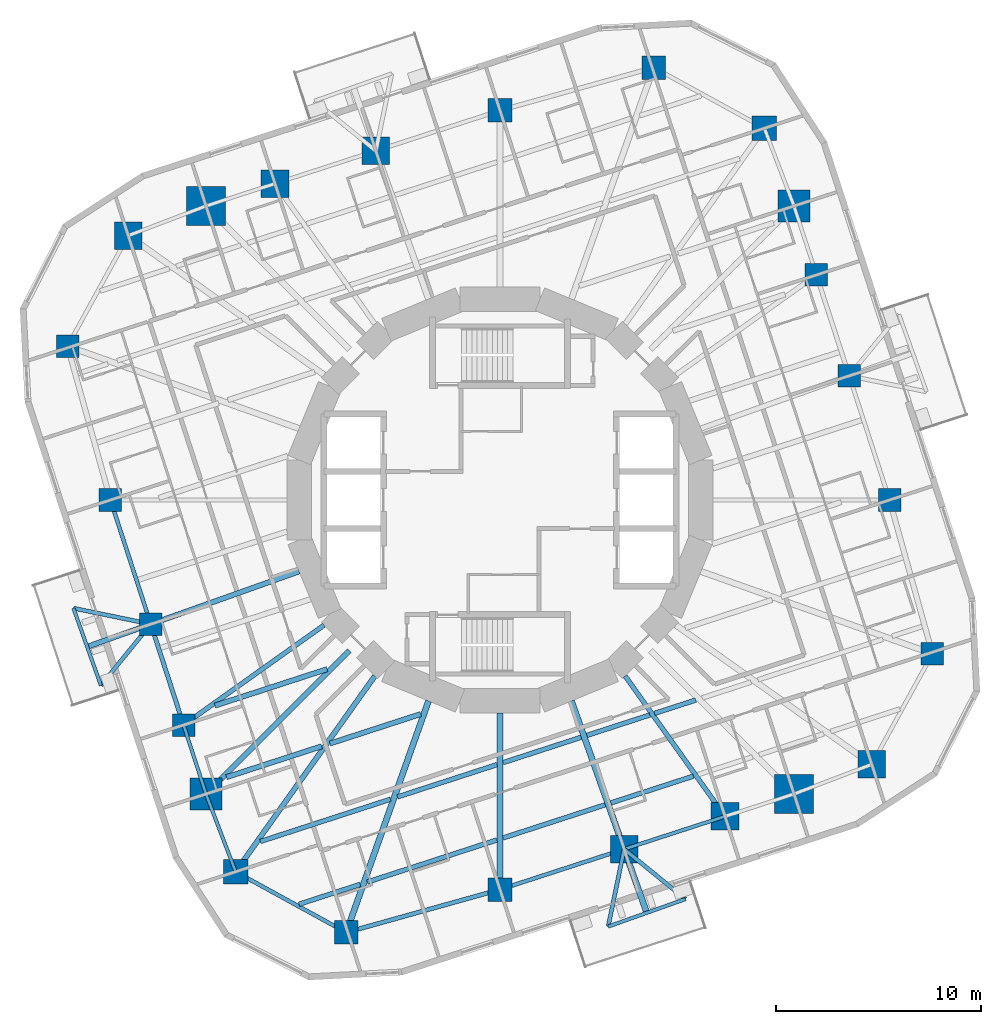
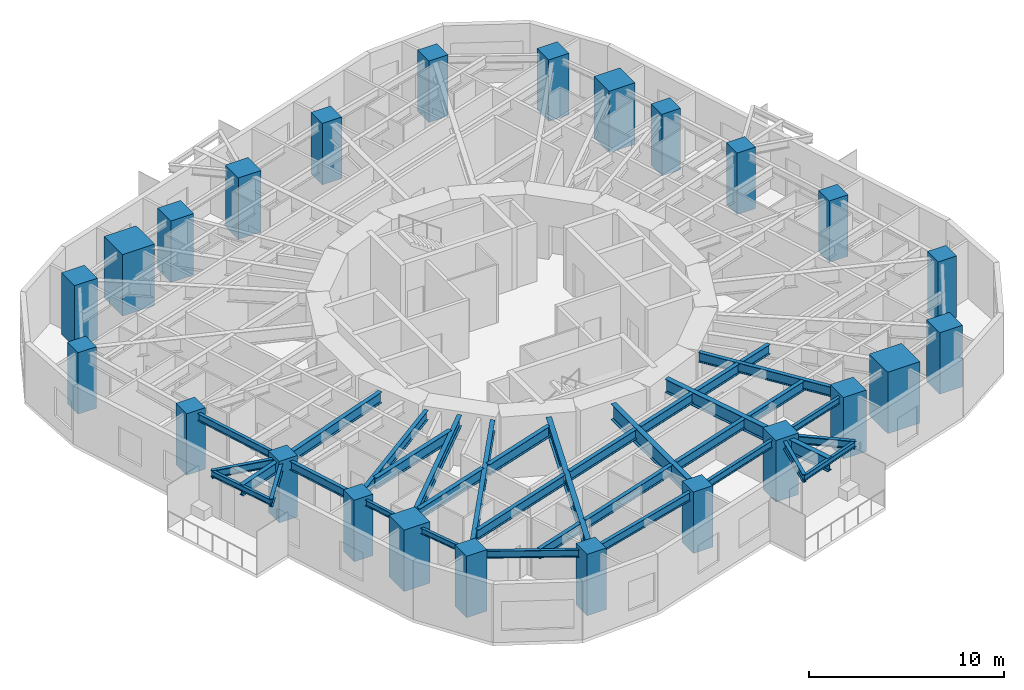
# One storey, part 1 of 12: 34 beams, 24 columns.
"""IFC4 building model written with IfcOpenShell, lengths in metres."""

from ifc_helpers import new_model, si_unit, direction, frame, origin, origin_2d, place, context, subcontext, project, spatial, rectangle, i_section, extrude, material, material_profile, profile_set, type_object, element, save


model = new_model("IFC4")

# Units and contexts
model_context = context("Model", 3, precision=1e-05, world=origin(), true_north=direction((0.0, 1.0)))
body_context = subcontext(model_context, "Body", "Model", "MODEL_VIEW")
ifc_project = project(units=[si_unit("LENGTHUNIT", "METRE"), si_unit("AREAUNIT", "SQUARE_METRE"), si_unit("VOLUMEUNIT", "CUBIC_METRE"), si_unit("PLANEANGLEUNIT", "RADIAN"), si_unit("MASSUNIT", "GRAM", prefix="KILO")], contexts=[model_context])

# Site, building, storey
site_placement = place(None, origin())
site = spatial("IfcSite", under=ifc_project, at=site_placement, CompositionType="ELEMENT")
building_placement = place(site_placement, origin())
building = spatial("IfcBuilding", under=site, at=building_placement, Name="Nakasero Lantern House", CompositionType="ELEMENT")
storey_placement = place(building_placement, frame((0.0, 0.0, 168.75)))
storey = spatial("IfcBuildingStorey", under=building, at=storey_placement, Name="L41", CompositionType="ELEMENT", Elevation=168.75)

# Columns
ifc_material_1 = material(Name="Concrete C50/60", Category="concrete")
ifc_material_profile_1 = material_profile(ifc_material_1, rectangle(XDim=1.550048828125, YDim=1.550048828125, at=origin_2d()), Name="RC 1550x1550")
ifc_profile_set_1 = profile_set([ifc_material_profile_1], Name="Concrete C50/60")
column_type_1 = type_object("IfcColumnType", Name="Mega column RC 1550x1550 C50/60", PredefinedType="COLUMN", material=ifc_profile_set_1)
for number, where, z_axis, x_axis, name in (
    (1, (14.3642578125, 14.3642578125, 0.0), (0.0, 0.0, 1.0), (1.0, 0.0, 0.0), "Column B4-C06 L41"),
    (2, (-14.3642578125, -14.3642578125, 0.0), (0.0, 0.0, 1.0), (1.0, 0.0, 0.0), "Column B4-C18 L41"),
):
    element("IfcColumn", number, at=place(storey_placement, frame(where, z_axis=z_axis, x_axis=x_axis)), inside=storey, type_object=column_type_1, Name=name, PredefinedType="COLUMN", context=body_context, shape_type="SweptSolid", body=[
        extrude(rectangle(XDim=1.550048828125, YDim=1.550048828125, at=origin_2d()), origin(), (0.0, 0.0, 1.0), 3.85009765625),
    ])
ifc_material_2 = material(Name="Concrete C50/60", Category="concrete")
ifc_material_profile_2 = material_profile(ifc_material_2, rectangle(XDim=1.89990234375, YDim=1.89990234375, at=origin_2d()), Name="RC 1900x1900")
ifc_profile_set_2 = profile_set([ifc_material_profile_2], Name="Concrete C50/60")
column_type_2 = type_object("IfcColumnType", Name="Mega column RC 1900x1900 C50/60", PredefinedType="COLUMN", material=ifc_profile_set_2)
for number, where, z_axis, x_axis, name in (
    (3, (-14.3642578125, 14.3642578125, 0.0), (0.0, 0.0, 1.0), (1.0, 0.0, 0.0), "Column B4-C12 L41"),
    (4, (14.3642578125, -14.3642578125, 0.0), (0.0, 0.0, 1.0), (1.0, 0.0, 0.0), "Column B4-C24 L41"),
):
    element("IfcColumn", number, at=place(storey_placement, frame(where, z_axis=z_axis, x_axis=x_axis)), inside=storey, type_object=column_type_2, Name=name, PredefinedType="COLUMN", context=body_context, shape_type="SweptSolid", body=[
        extrude(rectangle(XDim=1.89990234375, YDim=1.89990234375, at=origin_2d()), origin(), (0.0, 0.0, 1.0), 3.85009765625),
    ])
ifc_material_3 = material(Name="Concrete C50/60", Category="concrete")
ifc_material_profile_3 = material_profile(ifc_material_3, rectangle(XDim=1.10009765625, YDim=1.10009765625, at=origin_2d()), Name="RC 1100x1100")
ifc_profile_set_3 = profile_set([ifc_material_profile_3], Name="Concrete C50/60")
column_type_3 = type_object("IfcColumnType", Name="Ring column RC 1100x1100 C50/60", PredefinedType="COLUMN", material=ifc_profile_set_3)
for number, where, z_axis, x_axis, name in (
    (5, (21.129638671875, -7.5126953125, 0.0), (0.0, 0.0, 1.0), (1.0, 0.0, 0.0), "Column B4-C02 L41"),
    (6, (19.031494140625, 0.0, 0.0), (0.0, 0.0, 1.0), (1.0, 0.0, 0.0), "Column B4-C03 L41"),
    (7, (17.060546875, 6.06591796875, 0.0), (0.0, 0.0, 1.0), (1.0, 0.0, 0.0), "Column B4-C04 L41"),
    (8, (15.45947265625, 10.993408203125, 0.0), (0.0, 0.0, 1.0), (1.0, 0.0, 0.0), "Column B4-C05 L41"),
    (9, (-21.129638671875, 7.5126953125, 0.0), (0.0, 0.0, 1.0), (1.0, 0.0, 0.0), "Column B4-C14 L41"),
    (10, (-19.031494140625, 0.0, 0.0), (0.0, 0.0, 1.0), (1.0, 0.0, 0.0), "Column B4-C15 L41"),
    (11, (-17.060546875, -6.06591796875, 0.0), (0.0, 0.0, 1.0), (1.0, 0.0, 0.0), "Column B4-C16 L41"),
    (12, (-15.45947265625, -10.993408203125, 0.0), (0.0, 0.0, 1.0), (1.0, 0.0, 0.0), "Column B4-C17 L41"),
):
    element("IfcColumn", number, at=place(storey_placement, frame(where, z_axis=z_axis, x_axis=x_axis)), inside=storey, type_object=column_type_3, Name=name, PredefinedType="COLUMN", context=body_context, shape_type="SweptSolid", body=[
        extrude(rectangle(XDim=1.10009765625, YDim=1.10009765625, at=origin_2d()), origin(), (0.0, 0.0, 1.0), 3.85009765625),
    ])
ifc_material_4 = material(Name="Concrete C50/60", Category="concrete")
ifc_material_profile_4 = material_profile(ifc_material_4, rectangle(XDim=1.14990234375, YDim=1.14990234375, at=origin_2d()), Name="RC 1150x1150")
ifc_profile_set_4 = profile_set([ifc_material_profile_4], Name="Concrete C50/60")
column_type_4 = type_object("IfcColumnType", Name="Ring column RC 1150x1150 C50/60", PredefinedType="COLUMN", material=ifc_profile_set_4)
for number, where, z_axis, x_axis, name in (
    (13, (7.5126953125, 21.129638671875, 0.0), (0.0, 0.0, 1.0), (1.0, 0.0, 0.0), "Column B4-C08 L41"),
    (14, (0.0, 19.031494140625, 0.0), (0.0, 0.0, 1.0), (1.0, 0.0, 0.0), "Column B4-C09 L41"),
    (15, (-7.5126953125, -21.129638671875, 0.0), (0.0, 0.0, 1.0), (1.0, 0.0, 0.0), "Column B4-C20 L41"),
    (16, (0.0, -19.031494140625, 0.0), (0.0, 0.0, 1.0), (1.0, 0.0, 0.0), "Column B4-C21 L41"),
):
    element("IfcColumn", number, at=place(storey_placement, frame(where, z_axis=z_axis, x_axis=x_axis)), inside=storey, type_object=column_type_4, Name=name, PredefinedType="COLUMN", context=body_context, shape_type="SweptSolid", body=[
        extrude(rectangle(XDim=1.14990234375, YDim=1.14990234375, at=origin_2d()), origin(), (0.0, 0.0, 1.0), 3.85009765625),
    ])
ifc_material_5 = material(Name="Concrete C50/60", Category="concrete")
ifc_material_profile_5 = material_profile(ifc_material_5, rectangle(XDim=1.199951171875, YDim=1.199951171875, at=origin_2d()), Name="RC 1200x1200")
ifc_profile_set_5 = profile_set([ifc_material_profile_5], Name="Concrete C50/60")
column_type_5 = type_object("IfcColumnType", Name="Ring column RC 1200x1200 C50/60", PredefinedType="COLUMN", material=ifc_profile_set_5)
for number, where, z_axis, x_axis, name in (
    (17, (12.916015625, 18.1630859375, 0.0), (0.0, 0.0, 1.0), (1.0, 0.0, 0.0), "Column B4-C07 L41"),
    (18, (-12.916015625, -18.1630859375, 0.0), (0.0, 0.0, 1.0), (1.0, 0.0, 0.0), "Column B4-C19 L41"),
):
    element("IfcColumn", number, at=place(storey_placement, frame(where, z_axis=z_axis, x_axis=x_axis)), inside=storey, type_object=column_type_5, Name=name, PredefinedType="COLUMN", context=body_context, shape_type="SweptSolid", body=[
        extrude(rectangle(XDim=1.199951171875, YDim=1.199951171875, at=origin_2d()), origin(), (0.0, 0.0, 1.0), 3.85009765625),
    ])
ifc_material_6 = material(Name="Concrete C50/60", Category="concrete")
ifc_material_profile_6 = material_profile(ifc_material_6, rectangle(XDim=1.35009765625, YDim=1.35009765625, at=origin_2d()), Name="RC 1350x1350")
ifc_profile_set_6 = profile_set([ifc_material_profile_6], Name="Concrete C50/60")
column_type_6 = type_object("IfcColumnType", Name="Ring column RC 1350x1350 C50/60", PredefinedType="COLUMN", material=ifc_profile_set_6)
for number, where, z_axis, x_axis, name in (
    (19, (18.1630859375, -12.916015625, 0.0), (0.0, 0.0, 1.0), (1.0, 0.0, 0.0), "Column B4-C01 L41"),
    (20, (-6.06591796875, 17.060546875, 0.0), (0.0, 0.0, 1.0), (1.0, 0.0, 0.0), "Column B4-C10 L41"),
    (21, (-10.993408203125, 15.45947265625, 0.0), (0.0, 0.0, 1.0), (1.0, 0.0, 0.0), "Column B4-C11 L41"),
    (22, (-18.1630859375, 12.916015625, 0.0), (0.0, 0.0, 1.0), (1.0, 0.0, 0.0), "Column B4-C13 L41"),
    (23, (6.06591796875, -17.060546875, 0.0), (0.0, 0.0, 1.0), (1.0, 0.0, 0.0), "Column B4-C22 L41"),
    (24, (10.993408203125, -15.45947265625, 0.0), (0.0, 0.0, 1.0), (1.0, 0.0, 0.0), "Column B4-C23 L41"),
):
    element("IfcColumn", number, at=place(storey_placement, frame(where, z_axis=z_axis, x_axis=x_axis)), inside=storey, type_object=column_type_6, Name=name, PredefinedType="COLUMN", context=body_context, shape_type="SweptSolid", body=[
        extrude(rectangle(XDim=1.35009765625, YDim=1.35009765625, at=origin_2d()), origin(), (0.0, 0.0, 1.0), 3.85009765625),
    ])

# Beams
ifc_material_7 = material(Name="Steel S355", Category="steel")
ifc_material_profile_7 = material_profile(ifc_material_7, i_section(OverallWidth=0.199462890625, OverallDepth=0.491943359375, WebThickness=0.01806640625, FlangeThickness=0.031982421875, FilletRadius=0.01025390625, at=origin_2d()), Name="UB 457x191x161")
ifc_profile_set_7 = profile_set([ifc_material_profile_7], Name="Steel S355")
beam_type_1 = type_object("IfcBeamType", Name="Balcony splay beam UB 457x191x161", PredefinedType="BEAM", material=ifc_profile_set_7)
for number, where, z_axis, x_axis, name in (
    (25, (-17.060546875, -6.06591796875, 3.404052734375), (-0.632127727159, -0.774864205236, 0.0), (0.774864205236, -0.632127727159, 0.0), "Balcony splay beam L42 B4-C16A"),
    (26, (-17.060546875, -6.06591796875, 3.404052734375), (-0.979420272605, 0.201831438605, 0.0), (-0.201831438605, -0.979420272605, 0.0), "Balcony splay beam L42 B4-C16B"),
    (27, (6.06591796875, -17.060546875, 3.404052734375), (0.774864205236, -0.632127727159, 0.0), (0.632127727159, 0.774864205236, 0.0), "Balcony splay beam L42 B4-C22A"),
    (28, (6.06591796875, -17.060546875, 3.404052734375), (-0.201831438605, -0.979420272605, 0.0), (0.979420272605, -0.201831438605, 0.0), "Balcony splay beam L42 B4-C22B"),
):
    element("IfcBeam", number, at=place(storey_placement, frame(where, z_axis=z_axis, x_axis=x_axis)), inside=storey, type_object=beam_type_1, Name=name, PredefinedType="BEAM", context=body_context, shape_type="SweptSolid", body=[
        extrude(i_section(OverallWidth=0.199462890625, OverallDepth=0.491943359375, WebThickness=0.01806640625, FlangeThickness=0.031982421875, FilletRadius=0.01025390625, at=origin_2d()), origin(), (0.0, 0.0, 1.0), 3.858642578125),
    ])
ifc_material_8 = material(Name="Steel S355", Category="steel")
ifc_material_profile_8 = material_profile(ifc_material_8, i_section(OverallWidth=0.17138671875, OverallDepth=0.35498046875, WebThickness=0.00732421875, FlangeThickness=0.011474609375, FilletRadius=0.01025390625, at=origin_2d()), Name="UB 356x171x51")
ifc_profile_set_8 = profile_set([ifc_material_profile_8], Name="Steel S355")
beam_type_2 = type_object("IfcBeamType", Name="Balcony tie beam UB 356x171x51", PredefinedType="BEAM", material=ifc_profile_set_8)
for number, where, z_axis, x_axis, name in (
    (29, (-19.499755859375, -9.055908203125, 3.472412109375), (-0.335025321236, 0.942209124415, 0.0), (-0.942209124415, -0.335025321236, 0.0), "Balcony tie beam L42 B4-C16"),
    (30, (9.055908203125, -19.499755859375, 3.472412109375), (-0.942209124415, -0.335025321236, 0.0), (0.335025321236, -0.942209124415, 0.0), "Balcony tie beam L42 B4-C22"),
):
    element("IfcBeam", number, at=place(storey_placement, frame(where, z_axis=z_axis, x_axis=x_axis)), inside=storey, type_object=beam_type_2, Name=name, PredefinedType="BEAM", context=body_context, shape_type="SweptSolid", body=[
        extrude(i_section(OverallWidth=0.17138671875, OverallDepth=0.35498046875, WebThickness=0.00732421875, FlangeThickness=0.011474609375, FilletRadius=0.01025390625, at=origin_2d()), origin(), (0.0, 0.0, 1.0), 4.0),
    ])
ifc_material_9 = material(Name="Steel S355", Category="steel")
ifc_material_profile_9 = material_profile(ifc_material_9, i_section(OverallWidth=0.22900390625, OverallDepth=0.6123046875, WebThickness=0.011962890625, FlangeThickness=0.01953125, FilletRadius=0.0126953125, at=origin_2d()), Name="UB 610x229x125")
ifc_profile_set_9 = profile_set([ifc_material_profile_9], Name="Steel S355")
beam_type_3 = type_object("IfcBeamType", Name="Infill beam UB 610x229x125", PredefinedType="JOIST", material=ifc_profile_set_9)
beam_1_placement = place(storey_placement, frame((-9.823974609375, -19.75244140625, 3.343994140625), z_axis=(0.951054602662, 0.309022883872, 0.0), x_axis=(-0.309022883872, 0.951054602662, 0.0)))
element("IfcBeam", 31, at=beam_1_placement, inside=storey, type_object=beam_type_3, Name="Infill beam L42 03.1", PredefinedType="JOIST", context=body_context, shape_type="SweptSolid", body=[
    extrude(i_section(OverallWidth=0.22900390625, OverallDepth=0.6123046875, WebThickness=0.011962890625, FlangeThickness=0.01953125, FilletRadius=0.0126953125, at=origin_2d()), origin(), (0.0, 0.0, 1.0), 3.145263671875),
])
beam_2_placement = place(storey_placement, frame((-6.48193359375, -18.66650390625, 3.343994140625), z_axis=(0.951068556075, 0.308979937287, 0.0), x_axis=(-0.308979937287, 0.951068556075, 0.0)))
element("IfcBeam", 32, at=beam_2_placement, inside=storey, type_object=beam_type_3, Name="Infill beam L42 03.2", PredefinedType="JOIST", context=body_context, shape_type="SweptSolid", body=[
    extrude(i_section(OverallWidth=0.22900390625, OverallDepth=0.6123046875, WebThickness=0.011962890625, FlangeThickness=0.01953125, FilletRadius=0.0126953125, at=origin_2d()), origin(), (0.0, 0.0, 1.0), 6.65771484375),
])
beam_3_placement = place(storey_placement, frame((0.14990234375, -16.51171875, 3.343994140625), z_axis=(0.951061765699, 0.309000837904, 0.0), x_axis=(-0.309000837904, 0.951061765699, 0.0)))
element("IfcBeam", 33, at=beam_3_placement, inside=storey, type_object=beam_type_3, Name="Infill beam L42 03.3", PredefinedType="JOIST", context=body_context, shape_type="SweptSolid", body=[
    extrude(i_section(OverallWidth=0.22900390625, OverallDepth=0.6123046875, WebThickness=0.011962890625, FlangeThickness=0.01953125, FilletRadius=0.0126953125, at=origin_2d()), origin(), (0.0, 0.0, 1.0), 5.246337890625),
])
beam_4_placement = place(storey_placement, frame((5.41748046875, -14.80029296875, 3.343994140625), z_axis=(0.951061556317, 0.309001482352, 0.0), x_axis=(-0.309001482352, 0.951061556317, 0.0)))
element("IfcBeam", 34, at=beam_4_placement, inside=storey, type_object=beam_type_3, Name="Infill beam L42 03.4", PredefinedType="JOIST", context=body_context, shape_type="SweptSolid", body=[
    extrude(i_section(OverallWidth=0.22900390625, OverallDepth=0.6123046875, WebThickness=0.011962890625, FlangeThickness=0.01953125, FilletRadius=0.0126953125, at=origin_2d()), origin(), (0.0, 0.0, 1.0), 4.241943359375),
])
beam_5_placement = place(storey_placement, frame((-11.709228515625, -16.68505859375, 3.343994140625), z_axis=(0.951056080098, 0.30901833685, 0.0), x_axis=(-0.30901833685, 0.951056080098, 0.0)))
element("IfcBeam", 35, at=beam_5_placement, inside=storey, type_object=beam_type_3, Name="Infill beam L42 04.1", PredefinedType="JOIST", context=body_context, shape_type="SweptSolid", body=[
    extrude(i_section(OverallWidth=0.22900390625, OverallDepth=0.6123046875, WebThickness=0.011962890625, FlangeThickness=0.01953125, FilletRadius=0.0126953125, at=origin_2d()), origin(), (0.0, 0.0, 1.0), 6.68310546875),
])
beam_6_placement = place(storey_placement, frame((-5.00244140625, -14.505859375, 3.343994140625), z_axis=(0.951057977144, 0.309012498309, 0.0), x_axis=(-0.309012498309, 0.951057977144, 0.0)))
element("IfcBeam", 36, at=beam_6_placement, inside=storey, type_object=beam_type_3, Name="Infill beam L42 04.2", PredefinedType="JOIST", context=body_context, shape_type="SweptSolid", body=[
    extrude(i_section(OverallWidth=0.22900390625, OverallDepth=0.6123046875, WebThickness=0.011962890625, FlangeThickness=0.01953125, FilletRadius=0.0126953125, at=origin_2d()), origin(), (0.0, 0.0, 1.0), 5.102294921875),
])
beam_7_placement = place(storey_placement, frame((0.14990234375, -12.831787109375, 3.343994140625), z_axis=(0.95105910343, 0.309009031878, 0.0), x_axis=(-0.309009031878, 0.95105910343, 0.0)))
element("IfcBeam", 37, at=beam_7_placement, inside=storey, type_object=beam_type_3, Name="Infill beam L42 04.3", PredefinedType="JOIST", context=body_context, shape_type="SweptSolid", body=[
    extrude(i_section(OverallWidth=0.22900390625, OverallDepth=0.6123046875, WebThickness=0.011962890625, FlangeThickness=0.01953125, FilletRadius=0.0126953125, at=origin_2d()), origin(), (0.0, 0.0, 1.0), 4.0126953125),
])
beam_8_placement = place(storey_placement, frame((4.24462890625, -11.501220703125, 3.343994140625), z_axis=(0.951059536905, 0.309007697738, 0.0), x_axis=(-0.309007697738, 0.951059536905, 0.0)))
element("IfcBeam", 38, at=beam_8_placement, inside=storey, type_object=beam_type_3, Name="Infill beam L42 04.4", PredefinedType="JOIST", context=body_context, shape_type="SweptSolid", body=[
    extrude(i_section(OverallWidth=0.22900390625, OverallDepth=0.6123046875, WebThickness=0.011962890625, FlangeThickness=0.01953125, FilletRadius=0.0126953125, at=origin_2d()), origin(), (0.0, 0.0, 1.0), 3.240234375),
])
beam_9_placement = place(storey_placement, frame((7.554443359375, -10.42578125, 3.343994140625), z_axis=(0.951062120034, 0.308999747307, 0.0), x_axis=(-0.308999747307, 0.951062120034, 0.0)))
element("IfcBeam", 39, at=beam_9_placement, inside=storey, type_object=beam_type_3, Name="Infill beam L42 04.5", PredefinedType="JOIST", context=body_context, shape_type="SweptSolid", body=[
    extrude(i_section(OverallWidth=0.22900390625, OverallDepth=0.6123046875, WebThickness=0.011962890625, FlangeThickness=0.01953125, FilletRadius=0.0126953125, at=origin_2d()), origin(), (0.0, 0.0, 1.0), 2.1103515625),
])
ifc_material_10 = material(Name="Steel S355", Category="steel")
ifc_material_profile_10 = material_profile(ifc_material_10, i_section(OverallWidth=0.253662109375, OverallDepth=0.68359375, WebThickness=0.012451171875, FlangeThickness=0.01904296875, FilletRadius=0.01513671875, at=origin_2d()), Name="UB 686x254x140")
ifc_profile_set_10 = profile_set([ifc_material_profile_10], Name="Steel S355")
beam_type_4 = type_object("IfcBeamType", Name="Infill beam UB 686x254x140", PredefinedType="JOIST", material=ifc_profile_set_10)
beam_10_placement = place(storey_placement, frame((-13.36279296875, -13.5419921875, 3.308349609375), z_axis=(0.951061574069, 0.309001427713, 0.0), x_axis=(-0.309001427713, 0.951061574069, 0.0)))
element("IfcBeam", 40, at=beam_10_placement, inside=storey, type_object=beam_type_4, Name="Infill beam L42 05.1", PredefinedType="JOIST", context=body_context, shape_type="SweptSolid", body=[
    extrude(i_section(OverallWidth=0.253662109375, OverallDepth=0.68359375, WebThickness=0.012451171875, FlangeThickness=0.01904296875, FilletRadius=0.01513671875, at=origin_2d()), origin(), (0.0, 0.0, 1.0), 4.8916015625),
])
beam_11_placement = place(storey_placement, frame((-8.305908203125, -11.89892578125, 3.308349609375), z_axis=(0.95106063111, 0.309004329989, 0.0), x_axis=(-0.309004329989, 0.95106063111, 0.0)))
element("IfcBeam", 41, at=beam_11_placement, inside=storey, type_object=beam_type_4, Name="Infill beam L42 05.2", PredefinedType="JOIST", context=body_context, shape_type="SweptSolid", body=[
    extrude(i_section(OverallWidth=0.253662109375, OverallDepth=0.68359375, WebThickness=0.012451171875, FlangeThickness=0.01904296875, FilletRadius=0.01513671875, at=origin_2d()), origin(), (0.0, 0.0, 1.0), 4.659912109375),
])
beam_12_placement = place(storey_placement, frame((-13.93017578125, -10.04638671875, 3.308349609375), z_axis=(0.951055211673, 0.309021009559, 0.0), x_axis=(-0.309021009559, 0.951055211673, 0.0)))
element("IfcBeam", 42, at=beam_12_placement, inside=storey, type_object=beam_type_4, Name="Infill beam L42 06.1", PredefinedType="JOIST", context=body_context, shape_type="SweptSolid", body=[
    extrude(i_section(OverallWidth=0.253662109375, OverallDepth=0.68359375, WebThickness=0.012451171875, FlangeThickness=0.01904296875, FilletRadius=0.01513671875, at=origin_2d()), origin(), (0.0, 0.0, 1.0), 5.769775390625),
])
ifc_material_11 = material(Name="Steel S355", Category="steel")
ifc_material_profile_11 = material_profile(ifc_material_11, i_section(OverallWidth=0.300048828125, OverallDepth=0.989990234375, WebThickness=0.0166015625, FlangeThickness=0.031005859375, FilletRadius=0.030029296875, at=origin_2d()), Name="UB 1016x305x272")
ifc_profile_set_11 = profile_set([ifc_material_profile_11], Name="Steel S355")
beam_type_5 = type_object("IfcBeamType", Name="Primary beam UB 1016x305x272, span 6 to 9 m", PredefinedType="BEAM", material=ifc_profile_set_11)
beam_13_placement = place(storey_placement, frame((0.0, -19.031494140625, 3.155029296875), z_axis=(0.0, 1.0, 0.0), x_axis=(-1.0, 0.0, 0.0)))
element("IfcBeam", 43, at=beam_13_placement, inside=storey, type_object=beam_type_5, Name="Primary beam L42 B4-C21", PredefinedType="BEAM", context=body_context, shape_type="SweptSolid", body=[
    extrude(i_section(OverallWidth=0.300048828125, OverallDepth=0.989990234375, WebThickness=0.0166015625, FlangeThickness=0.031005859375, FilletRadius=0.030029296875, at=origin_2d()), origin(), (0.0, 0.0, 1.0), 8.62353515625),
])
ifc_material_12 = material(Name="Steel S355", Category="steel")
ifc_material_profile_12 = material_profile(ifc_material_12, i_section(OverallWidth=0.22900390625, OverallDepth=0.6123046875, WebThickness=0.011962890625, FlangeThickness=0.01953125, FilletRadius=0.0126953125, at=origin_2d()), Name="UB 610x229x125")
ifc_profile_set_12 = profile_set([ifc_material_profile_12], Name="Steel S355")
beam_type_6 = type_object("IfcBeamType", Name="Primary beam UB 610x229x125, span 6 to 9 m", PredefinedType="BEAM", material=ifc_profile_set_12)
for number, where, z_axis, x_axis, name in (
    (44, (-15.45947265625, -10.993408203125, 3.343994140625), (0.81495106139, 0.579529781409, 0.0), (-0.579529781409, 0.81495106139, 0.0), "Primary beam L42 B4-C17"),
    (45, (10.993408203125, -15.45947265625, 3.343994140625), (-0.579529781409, 0.81495106139, 0.0), (-0.81495106139, -0.579529781409, 0.0), "Primary beam L42 B4-C23"),
):
    element("IfcBeam", number, at=place(storey_placement, frame(where, z_axis=z_axis, x_axis=x_axis)), inside=storey, type_object=beam_type_6, Name=name, PredefinedType="BEAM", context=body_context, shape_type="SweptSolid", body=[
        extrude(i_section(OverallWidth=0.22900390625, OverallDepth=0.6123046875, WebThickness=0.011962890625, FlangeThickness=0.01953125, FilletRadius=0.0126953125, at=origin_2d()), origin(), (0.0, 0.0, 1.0), 8.41455078125),
    ])
ifc_material_13 = material(Name="Steel S355", Category="steel")
ifc_material_profile_13 = material_profile(ifc_material_13, i_section(OverallWidth=0.253662109375, OverallDepth=0.68359375, WebThickness=0.012451171875, FlangeThickness=0.01904296875, FilletRadius=0.01513671875, at=origin_2d()), Name="UB 686x254x140")
ifc_profile_set_13 = profile_set([ifc_material_profile_13], Name="Steel S355")
beam_type_7 = type_object("IfcBeamType", Name="Primary beam UB 686x254x140, span 6 to 9 m", PredefinedType="BEAM", material=ifc_profile_set_13)
beam_14_placement = place(storey_placement, frame((-20.169921875, -7.17138671875, 3.308349609375), z_axis=(0.942215625619, 0.335007036998, 0.0), x_axis=(-0.335007036998, 0.942215625619, 0.0)))
element("IfcBeam", 46, at=beam_14_placement, inside=storey, type_object=beam_type_7, Name="Primary beam L42 B4-C16", PredefinedType="BEAM", context=body_context, shape_type="SweptSolid", body=[
    extrude(i_section(OverallWidth=0.253662109375, OverallDepth=0.68359375, WebThickness=0.012451171875, FlangeThickness=0.01904296875, FilletRadius=0.01513671875, at=origin_2d()), origin(), (0.0, 0.0, 1.0), 10.9853515625),
])
ifc_material_14 = material(Name="Steel S355", Category="steel")
ifc_material_profile_14 = material_profile(ifc_material_14, i_section(OverallWidth=0.253662109375, OverallDepth=0.68359375, WebThickness=0.012451171875, FlangeThickness=0.01904296875, FilletRadius=0.01513671875, at=origin_2d()), Name="UB 686x254x140")
ifc_profile_set_14 = profile_set([ifc_material_profile_14], Name="Steel S355")
beam_type_8 = type_object("IfcBeamType", Name="Primary beam UB 686x254x140, span 9 to 12 m", PredefinedType="BEAM", material=ifc_profile_set_14)
beam_15_placement = place(storey_placement, frame((-14.3642578125, -14.3642578125, 3.308349609375), z_axis=(0.707106781187, 0.707106781187, 0.0), x_axis=(-0.707106781187, 0.707106781187, 0.0)))
element("IfcBeam", 47, at=beam_15_placement, inside=storey, type_object=beam_type_8, Name="Primary beam L42 B4-C18", PredefinedType="BEAM", context=body_context, shape_type="SweptSolid", body=[
    extrude(i_section(OverallWidth=0.253662109375, OverallDepth=0.68359375, WebThickness=0.012451171875, FlangeThickness=0.01904296875, FilletRadius=0.01513671875, at=origin_2d()), origin(), (0.0, 0.0, 1.0), 9.906494140625),
])
beam_16_placement = place(storey_placement, frame((-12.916015625, -18.1630859375, 3.308349609375), z_axis=(0.579530236062, 0.814950738075, 0.0), x_axis=(-0.814950738075, 0.579530236062, 0.0)))
element("IfcBeam", 48, at=beam_16_placement, inside=storey, type_object=beam_type_8, Name="Primary beam L42 B4-C19", PredefinedType="BEAM", context=body_context, shape_type="SweptSolid", body=[
    extrude(i_section(OverallWidth=0.253662109375, OverallDepth=0.68359375, WebThickness=0.012451171875, FlangeThickness=0.01904296875, FilletRadius=0.01513671875, at=origin_2d()), origin(), (0.0, 0.0, 1.0), 11.73193359375),
])
ifc_material_15 = material(Name="Steel S355", Category="steel")
ifc_material_profile_15 = material_profile(ifc_material_15, i_section(OverallWidth=0.29248046875, OverallDepth=0.8408203125, WebThickness=0.0146484375, FlangeThickness=0.02685546875, FilletRadius=0.017822265625, at=origin_2d()), Name="UB 838x292x194")
ifc_profile_set_15 = profile_set([ifc_material_profile_15], Name="Steel S355")
beam_type_9 = type_object("IfcBeamType", Name="Primary beam UB 838x292x194, span 12 to 15 m", PredefinedType="BEAM", material=ifc_profile_set_15)
beam_17_placement = place(storey_placement, frame((-7.5126953125, -21.129638671875, 3.229736328125), z_axis=(0.335012877559, 0.942213548974, 0.0), x_axis=(-0.942213548974, 0.335012877559, 0.0)))
element("IfcBeam", 49, at=beam_17_placement, inside=storey, type_object=beam_type_9, Name="Primary beam L42 B4-C20", PredefinedType="BEAM", context=body_context, shape_type="SweptSolid", body=[
    extrude(i_section(OverallWidth=0.29248046875, OverallDepth=0.8408203125, WebThickness=0.0146484375, FlangeThickness=0.02685546875, FilletRadius=0.017822265625, at=origin_2d()), origin(), (0.0, 0.0, 1.0), 12.00390625),
])
ifc_material_16 = material(Name="Steel S355", Category="steel")
ifc_material_profile_16 = material_profile(ifc_material_16, i_section(OverallWidth=0.29248046875, OverallDepth=0.8408203125, WebThickness=0.0146484375, FlangeThickness=0.02685546875, FilletRadius=0.017822265625, at=origin_2d()), Name="UB 838x292x194")
ifc_profile_set_16 = profile_set([ifc_material_profile_16], Name="Steel S355")
beam_type_10 = type_object("IfcBeamType", Name="Primary beam UB 838x292x194, span 6 to 9 m", PredefinedType="BEAM", material=ifc_profile_set_16)
beam_18_placement = place(storey_placement, frame((7.17138671875, -20.169921875, 3.229736328125), z_axis=(-0.335007036998, 0.942215625619, 0.0), x_axis=(-0.942215625619, -0.335007036998, 0.0)))
element("IfcBeam", 50, at=beam_18_placement, inside=storey, type_object=beam_type_10, Name="Primary beam L42 B4-C22", PredefinedType="BEAM", context=body_context, shape_type="SweptSolid", body=[
    extrude(i_section(OverallWidth=0.29248046875, OverallDepth=0.8408203125, WebThickness=0.0146484375, FlangeThickness=0.02685546875, FilletRadius=0.017822265625, at=origin_2d()), origin(), (0.0, 0.0, 1.0), 10.9853515625),
])
ifc_material_17 = material(Name="Steel S355", Category="steel")
ifc_material_profile_17 = material_profile(ifc_material_17, i_section(OverallWidth=0.17138671875, OverallDepth=0.35498046875, WebThickness=0.00732421875, FlangeThickness=0.011474609375, FilletRadius=0.01025390625, at=origin_2d()), Name="UB 356x171x51")
ifc_profile_set_17 = profile_set([ifc_material_profile_17], Name="Steel S355")
beam_type_11 = type_object("IfcBeamType", Name="Ring beam UB 356x171x51", PredefinedType="BEAM", material=ifc_profile_set_17)
beam_19_placement = place(storey_placement, frame((-15.45947265625, -10.993408203125, 3.472412109375), z_axis=(0.309006636447, -0.951059881727, 0.0), x_axis=(0.951059881727, 0.309006636447, 0.0)))
element("IfcBeam", 51, at=beam_19_placement, inside=storey, type_object=beam_type_11, Name="Ring beam L42 B4-C17", PredefinedType="BEAM", context=body_context, shape_type="SweptSolid", body=[
    extrude(i_section(OverallWidth=0.17138671875, OverallDepth=0.35498046875, WebThickness=0.00732421875, FlangeThickness=0.011474609375, FilletRadius=0.01025390625, at=origin_2d()), origin(), (0.0, 0.0, 1.0), 3.544189453125),
])
beam_20_placement = place(storey_placement, frame((-14.3642578125, -14.3642578125, 3.472412109375), z_axis=(0.35622505813, -0.934400186194, 0.0), x_axis=(0.934400186194, 0.35622505813, 0.0)))
element("IfcBeam", 52, at=beam_20_placement, inside=storey, type_object=beam_type_11, Name="Ring beam L42 B4-C18", PredefinedType="BEAM", context=body_context, shape_type="SweptSolid", body=[
    extrude(i_section(OverallWidth=0.17138671875, OverallDepth=0.35498046875, WebThickness=0.00732421875, FlangeThickness=0.011474609375, FilletRadius=0.01025390625, at=origin_2d()), origin(), (0.0, 0.0, 1.0), 4.0654296875),
])
ifc_material_18 = material(Name="Steel S355", Category="steel")
ifc_material_profile_18 = material_profile(ifc_material_18, i_section(OverallWidth=0.177978515625, OverallDepth=0.406494140625, WebThickness=0.0078125, FlangeThickness=0.0126953125, FilletRadius=0.01025390625, at=origin_2d()), Name="UB 406x178x60")
ifc_profile_set_18 = profile_set([ifc_material_profile_18], Name="Steel S355")
beam_type_12 = type_object("IfcBeamType", Name="Ring beam UB 406x178x60", PredefinedType="BEAM", material=ifc_profile_set_18)
beam_21_placement = place(storey_placement, frame((6.06591796875, -17.060546875, 3.44677734375), z_axis=(0.95105449754, 0.309023207396, 0.0), x_axis=(-0.309023207396, 0.95105449754, 0.0)))
element("IfcBeam", 53, at=beam_21_placement, inside=storey, type_object=beam_type_12, Name="Ring beam L42 B4-C22", PredefinedType="BEAM", context=body_context, shape_type="SweptSolid", body=[
    extrude(i_section(OverallWidth=0.177978515625, OverallDepth=0.406494140625, WebThickness=0.0078125, FlangeThickness=0.0126953125, FilletRadius=0.01025390625, at=origin_2d()), origin(), (0.0, 0.0, 1.0), 5.18115234375),
])
ifc_material_19 = material(Name="Steel S355", Category="steel")
ifc_material_profile_19 = material_profile(ifc_material_19, i_section(OverallWidth=0.18994140625, OverallDepth=0.453369140625, WebThickness=0.008544921875, FlangeThickness=0.0126953125, FilletRadius=0.01025390625, at=origin_2d()), Name="UB 457x191x67")
ifc_profile_set_19 = profile_set([ifc_material_profile_19], Name="Steel S355")
beam_type_13 = type_object("IfcBeamType", Name="Ring beam UB 457x191x67", PredefinedType="BEAM", material=ifc_profile_set_19)
beam_22_placement = place(storey_placement, frame((-19.031494140625, 0.0, 3.42333984375), z_axis=(0.309018560274, -0.951056007502, 0.0), x_axis=(0.951056007502, 0.309018560274, 0.0)))
element("IfcBeam", 54, at=beam_22_placement, inside=storey, type_object=beam_type_13, Name="Ring beam L42 B4-C15", PredefinedType="BEAM", context=body_context, shape_type="SweptSolid", body=[
    extrude(i_section(OverallWidth=0.18994140625, OverallDepth=0.453369140625, WebThickness=0.008544921875, FlangeThickness=0.0126953125, FilletRadius=0.01025390625, at=origin_2d()), origin(), (0.0, 0.0, 1.0), 6.378173828125),
])
beam_23_placement = place(storey_placement, frame((-12.916015625, -18.1630859375, 3.42333984375), z_axis=(0.876576912681, -0.481261795861, 0.0), x_axis=(0.481261795861, 0.876576912681, 0.0)))
element("IfcBeam", 55, at=beam_23_placement, inside=storey, type_object=beam_type_13, Name="Ring beam L42 B4-C19", PredefinedType="BEAM", context=body_context, shape_type="SweptSolid", body=[
    extrude(i_section(OverallWidth=0.18994140625, OverallDepth=0.453369140625, WebThickness=0.008544921875, FlangeThickness=0.0126953125, FilletRadius=0.01025390625, at=origin_2d()), origin(), (0.0, 0.0, 1.0), 6.1640625),
])
ifc_material_20 = material(Name="Steel S355", Category="steel")
ifc_material_profile_20 = material_profile(ifc_material_20, i_section(OverallWidth=0.19140625, OverallDepth=0.4599609375, WebThickness=0.010009765625, FlangeThickness=0.01611328125, FilletRadius=0.01025390625, at=origin_2d()), Name="UB 457x191x82")
ifc_profile_set_20 = profile_set([ifc_material_profile_20], Name="Steel S355")
beam_type_14 = type_object("IfcBeamType", Name="Ring beam UB 457x191x82", PredefinedType="BEAM", material=ifc_profile_set_20)
beam_24_placement = place(storey_placement, frame((0.0, -19.031494140625, 3.419921875), z_axis=(0.951056007502, 0.309018560274, 0.0), x_axis=(-0.309018560274, 0.951056007502, 0.0)))
element("IfcBeam", 56, at=beam_24_placement, inside=storey, type_object=beam_type_14, Name="Ring beam L42 B4-C21", PredefinedType="BEAM", context=body_context, shape_type="SweptSolid", body=[
    extrude(i_section(OverallWidth=0.19140625, OverallDepth=0.4599609375, WebThickness=0.010009765625, FlangeThickness=0.01611328125, FilletRadius=0.01025390625, at=origin_2d()), origin(), (0.0, 0.0, 1.0), 6.378173828125),
])
ifc_material_21 = material(Name="Steel S355", Category="steel")
ifc_material_profile_21 = material_profile(ifc_material_21, i_section(OverallWidth=0.2099609375, OverallDepth=0.53662109375, WebThickness=0.0107421875, FlangeThickness=0.017333984375, FilletRadius=0.0126953125, at=origin_2d()), Name="UB 533x210x101")
ifc_profile_set_21 = profile_set([ifc_material_profile_21], Name="Steel S355")
beam_type_15 = type_object("IfcBeamType", Name="Ring beam UB 533x210x101", PredefinedType="BEAM", material=ifc_profile_set_21)
beam_25_placement = place(storey_placement, frame((-17.060546875, -6.06591796875, 3.381591796875), z_axis=(0.309023207396, -0.95105449754, 0.0), x_axis=(0.95105449754, 0.309023207396, 0.0)))
element("IfcBeam", 57, at=beam_25_placement, inside=storey, type_object=beam_type_15, Name="Ring beam L42 B4-C16", PredefinedType="BEAM", context=body_context, shape_type="SweptSolid", body=[
    extrude(i_section(OverallWidth=0.2099609375, OverallDepth=0.53662109375, WebThickness=0.0107421875, FlangeThickness=0.017333984375, FilletRadius=0.0126953125, at=origin_2d()), origin(), (0.0, 0.0, 1.0), 5.18115234375),
])
ifc_material_22 = material(Name="Steel S355", Category="steel")
ifc_material_profile_22 = material_profile(ifc_material_22, i_section(OverallWidth=0.208740234375, OverallDepth=0.5283203125, WebThickness=0.009521484375, FlangeThickness=0.01318359375, FilletRadius=0.0126953125, at=origin_2d()), Name="UB 533x210x82")
ifc_profile_set_22 = profile_set([ifc_material_profile_22], Name="Steel S355")
beam_type_16 = type_object("IfcBeamType", Name="Ring beam UB 533x210x82", PredefinedType="BEAM", material=ifc_profile_set_22)
beam_26_placement = place(storey_placement, frame((-7.5126953125, -21.129638671875, 3.3857421875), z_axis=(0.963143892339, 0.268986696047, 0.0), x_axis=(-0.268986696047, 0.963143892339, 0.0)))
element("IfcBeam", 58, at=beam_26_placement, inside=storey, type_object=beam_type_16, Name="Ring beam L42 B4-C20", PredefinedType="BEAM", context=body_context, shape_type="SweptSolid", body=[
    extrude(i_section(OverallWidth=0.208740234375, OverallDepth=0.5283203125, WebThickness=0.009521484375, FlangeThickness=0.01318359375, FilletRadius=0.0126953125, at=origin_2d()), origin(), (0.0, 0.0, 1.0), 7.80029296875),
])

save(model, "model.ifc")
